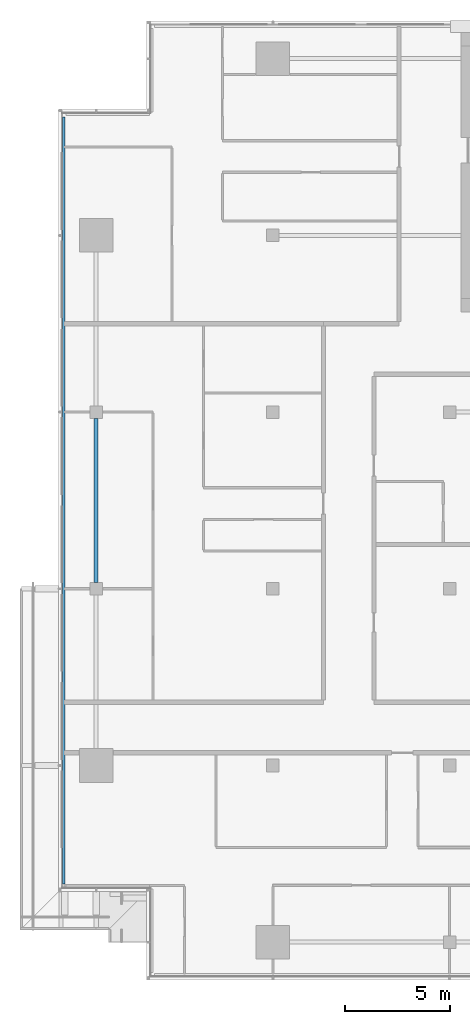
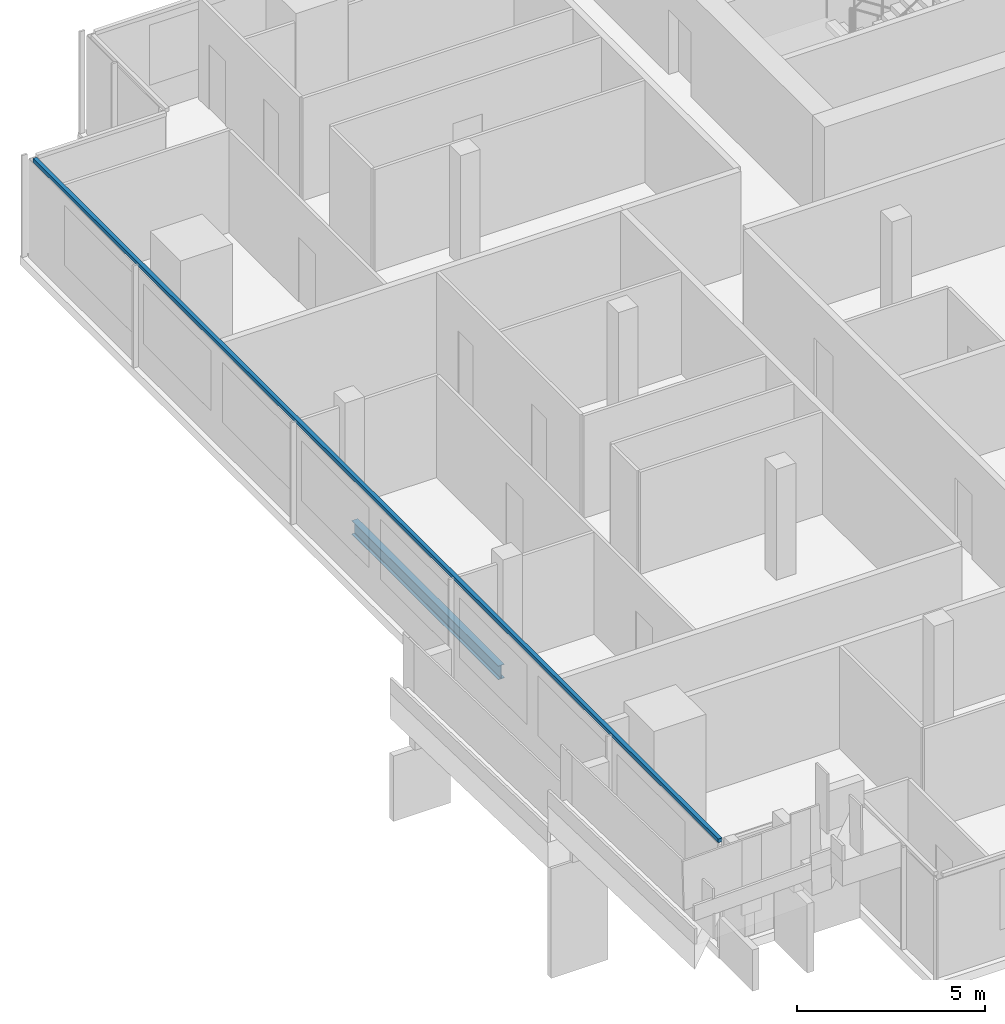
# One storey, part 3 of 30: 1 beam, 1 member, 1 element without a shape of its own.
"""IFC4 building model written with IfcOpenShell, lengths in metres."""

from ifc_helpers import new_model, si_unit, direction, frame, origin, origin_2d, place, context, subcontext, project, spatial, rectangle, i_section, extrude, material, material_profile, profile_set, type_object, element, aggregate, save


model = new_model("IFC4")

# Units and contexts
model_context = context("Model", 3, precision=1e-05, world=origin(), true_north=direction((0.0, 1.0)))
body_context = subcontext(model_context, "Body", "Model", "MODEL_VIEW")
ifc_project = project(units=[si_unit("LENGTHUNIT", "METRE"), si_unit("AREAUNIT", "SQUARE_METRE"), si_unit("VOLUMEUNIT", "CUBIC_METRE"), si_unit("PLANEANGLEUNIT", "RADIAN"), si_unit("MASSUNIT", "GRAM", prefix="KILO")], contexts=[model_context])

# Site, building, storey
site_placement = place(None, origin())
site = spatial("IfcSite", under=ifc_project, at=site_placement, CompositionType="ELEMENT")
building_placement = place(site_placement, origin())
building = spatial("IfcBuilding", under=site, at=building_placement, Name="Saffron Gate Tower", CompositionType="ELEMENT")
storey_placement = place(building_placement, frame((0.0, 0.0, 245.10009765625)))
storey = spatial("IfcBuildingStorey", under=building, at=storey_placement, Name="L60", CompositionType="ELEMENT", Elevation=245.10009765625)

# Beam
ifc_material_1 = material(Name="Structural steel S355", Category="steel")
ifc_material_profile_1 = material_profile(ifc_material_1, i_section(OverallWidth=0.18994140625, OverallDepth=0.449951171875, WebThickness=0.009521484375, FlangeThickness=0.0146484375, FilletRadius=0.02099609375, at=origin_2d()))
ifc_profile_set_1 = profile_set([ifc_material_profile_1], Name="Structural steel S355")
beam_type = type_object("IfcBeamType", Name="B7 IPE 450", PredefinedType="SPANDREL", material=ifc_profile_set_1)
beam_placement = place(storey_placement, frame((49.800048828125, 48.89990234375, -0.505126953125), z_axis=(0.0, 1.0, 0.0), x_axis=(-1.0, 0.0, 0.0)))
element("IfcBeam", 1, at=beam_placement, inside=storey, type_object=beam_type, Name="B7 SPANDREL BEAM", PredefinedType="SPANDREL", context=body_context, shape_type="SweptSolid", body=[
    extrude(i_section(OverallWidth=0.18994140625, OverallDepth=0.449951171875, WebThickness=0.009521484375, FlangeThickness=0.0146484375, FilletRadius=0.02099609375, at=origin_2d()), origin(), (0.0, 0.0, 1.0), 7.800048828125),
])

# Curtain wall, member
ifc_material_2 = material(Name="Aluminium, bronze anodised", Category="aluminium")
curtain_wall_type = type_object("IfcCurtainWallType", Name="CWS2 curtain wall side facades", PredefinedType="NOTDEFINED", material=ifc_material_2)
curtain_wall_placement = place(storey_placement, origin())
curtain_wall = element("IfcCurtainWall", 2, at=curtain_wall_placement, inside=storey, type_object=curtain_wall_type, Name="CWS2 run 10", PredefinedType="NOTDEFINED")
ifc_material_profile_2 = material_profile(ifc_material_2, rectangle(XDim=0.1201171875, YDim=0.1201171875, at=origin_2d()))
ifc_profile_set_2 = profile_set([ifc_material_profile_2], Name="Aluminium, bronze anodised")
member_type = type_object("IfcMemberType", Name="CWS2 head transom", PredefinedType="USERDEFINED", material=ifc_profile_set_2)
member_placement = place(storey_placement, frame((48.248046875, 71.031982421875, 3.260009765625), z_axis=(0.0, -1.0, 0.0), x_axis=(1.0, 0.0, 0.0)))
member = element("IfcMember", 3, at=member_placement, type_object=member_type, Name="CWS2 head transom", ObjectType="TRANSOM", PredefinedType="USERDEFINED", context=body_context, shape_type="SweptSolid", body=[
    extrude(rectangle(XDim=0.1201171875, YDim=0.1201171875, at=origin_2d()), origin(), (0.0, 0.0, 1.0), 36.4638671875),
])
aggregate(curtain_wall, [member])

save(model, "model.ifc")
